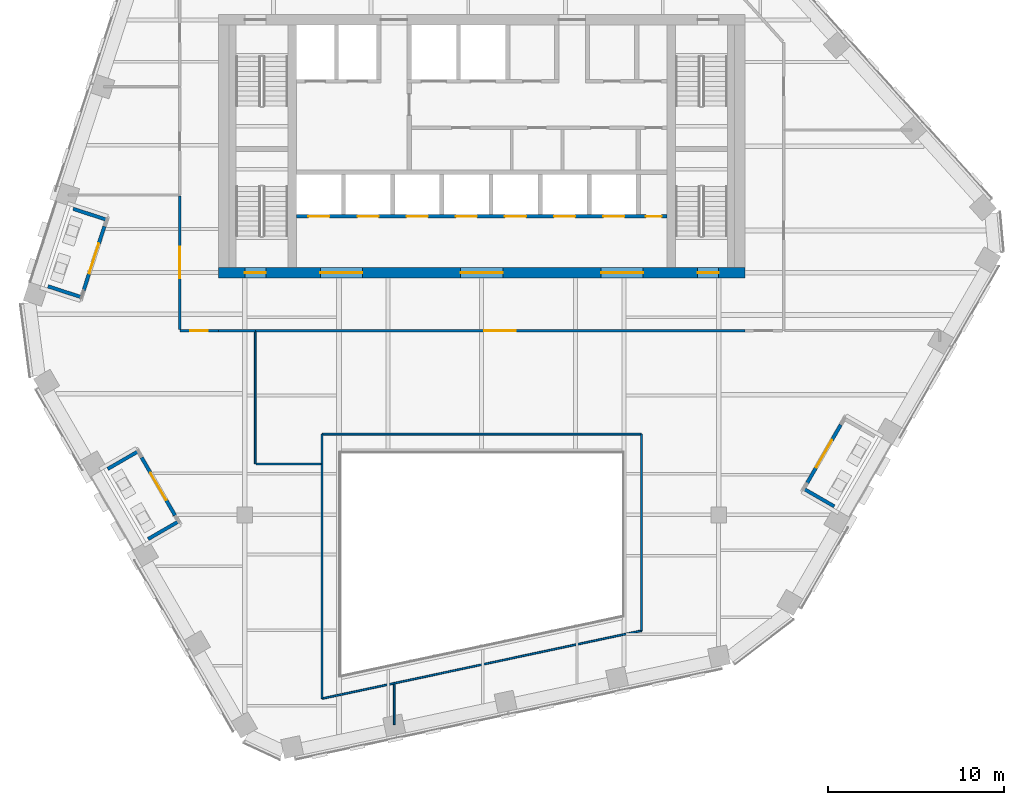
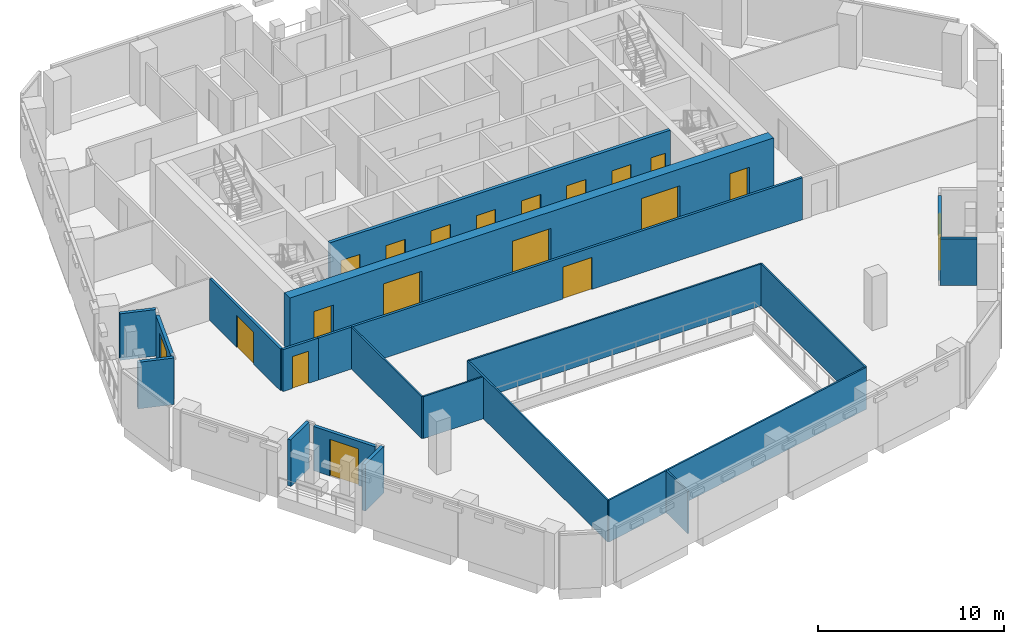
# One storey, part 15 of 24: 21 walls, 19 doors, 19 openings.
"""IFC4 building model written with IfcOpenShell, lengths in metres."""

from ifc_helpers import new_model, si_unit, direction, frame, frame_2d, origin, place, context, subcontext, project, spatial, rectangle, extrude, material, layer, layer_set, type_object, element, fill, save


model = new_model("IFC4")

# Units and contexts
model_context = context("Model", 3, precision=1e-05, world=origin(), true_north=direction((0.0, 1.0)))
body_context = subcontext(model_context, "Body", "Model", "MODEL_VIEW")
ifc_project = project(units=[si_unit("LENGTHUNIT", "METRE"), si_unit("AREAUNIT", "SQUARE_METRE"), si_unit("VOLUMEUNIT", "CUBIC_METRE"), si_unit("PLANEANGLEUNIT", "RADIAN"), si_unit("MASSUNIT", "GRAM", prefix="KILO")], contexts=[model_context])

# Site, building, storey
site_placement = place(None, origin())
site = spatial("IfcSite", under=ifc_project, at=site_placement, CompositionType="ELEMENT")
building_placement = place(site_placement, origin())
building = spatial("IfcBuilding", under=site, at=building_placement, Name="Isthmus Gate Tower", CompositionType="ELEMENT")
storey_placement = place(building_placement, frame((0.0, 0.0, 234.550048828125)))
storey = spatial("IfcBuildingStorey", under=building, at=storey_placement, Name="L59", CompositionType="ELEMENT", Elevation=234.550048828125)

# Walls
ifc_material_1 = material(Name="Fire-rated laminated glass in steel frame", Category="steel")
ifc_layer_1 = layer(ifc_material_1, 0.10009765625)
ifc_layer_set_1 = layer_set([ifc_layer_1], Name="ATRIUM SCREEN GLAZED WALL 100 120 MIN")
wall_type_1 = type_object("IfcWallType", Name="ATRIUM SCREEN GLAZED WALL 100 120 MIN", PredefinedType="PARTITIONING", material=ifc_layer_set_1)
wall_1_placement = place(storey_placement, frame((-9.10009765625, -8.89990234375, 0.0), z_axis=(0.0, 0.0, 1.0), x_axis=(1.0, 0.0, 0.0)))
element("IfcWall", 1, at=wall_1_placement, inside=storey, type_object=wall_type_1, Name="L59 atrium screen", PredefinedType="PARTITIONING", context=body_context, shape_type="SweptSolid", body=[
    extrude(rectangle(XDim=18.2001953125, YDim=0.10009765625, at=frame_2d((9.10009765625, 0.0))), origin(), (0.0, 0.0, 1.0), 2.750732421875),
])
wall_2_placement = place(storey_placement, frame((9.10009765625, -8.89990234375, 0.0), z_axis=(0.0, 0.0, 1.0), x_axis=(0.0, -1.0, 0.0)))
element("IfcWall", 2, at=wall_2_placement, inside=storey, type_object=wall_type_1, Name="L59 atrium screen", PredefinedType="PARTITIONING", context=body_context, shape_type="SweptSolid", body=[
    extrude(rectangle(XDim=11.200927734375, YDim=0.10009765625, at=frame_2d((5.6005859375, 0.0))), origin(), (0.0, 0.0, 1.0), 2.750732421875),
])
wall_3_placement = place(storey_placement, frame((9.10009765625, -20.100830078125, 0.0), z_axis=(0.0, 0.0, 1.0), x_axis=(-0.978146710971, -0.207915876778, 0.0)))
element("IfcWall", 3, at=wall_3_placement, inside=storey, type_object=wall_type_1, Name="L59 atrium screen", PredefinedType="PARTITIONING", context=body_context, shape_type="SweptSolid", body=[
    extrude(rectangle(XDim=18.60693359375, YDim=0.10009765625, at=frame_2d((9.303466796875, 0.0))), origin(), (0.0, 0.0, 1.0), 2.750732421875),
])
wall_4_placement = place(storey_placement, frame((-9.10009765625, -23.969482421875, 0.0), z_axis=(0.0, 0.0, 1.0), x_axis=(0.0, 1.0, 0.0)))
element("IfcWall", 4, at=wall_4_placement, inside=storey, type_object=wall_type_1, Name="L59 atrium screen", PredefinedType="PARTITIONING", context=body_context, shape_type="SweptSolid", body=[
    extrude(rectangle(XDim=15.069580078125, YDim=0.10009765625, at=frame_2d((7.53466796875, 0.0))), origin(), (0.0, 0.0, 1.0), 2.750732421875),
])
ifc_material_2 = material(Name="Gypsum board on steel studs, fire-rated", Category="steel")
ifc_layer_2 = layer(ifc_material_2, 0.14990234375)
ifc_layer_set_2 = layer_set([ifc_layer_2], Name="CORRIDOR WALL 150 60 MIN")
wall_type_2 = type_object("IfcWallType", Name="CORRIDOR WALL 150 60 MIN", PredefinedType="PARTITIONING", material=ifc_layer_set_2)
wall_5_placement = place(storey_placement, frame((-12.904052734375, -3.0, 0.0), z_axis=(0.0, 0.0, 1.0), x_axis=(-1.0, 0.0, 0.0)))
element("IfcWall", 5, at=wall_5_placement, inside=storey, type_object=wall_type_2, Name="L59 Corridor Wall 150 60 Min", PredefinedType="PARTITIONING", context=body_context, shape_type="SweptSolid", body=[
    extrude(rectangle(XDim=2.095947265625, YDim=0.14990234375, at=frame_2d((1.0478515625, 0.0))), origin(), (0.0, 0.0, 1.0), 2.750732421875),
])

# Wall, opening, door
wall_6_placement = place(storey_placement, frame((15.0, -3.0, 0.0), z_axis=(0.0, 0.0, 1.0), x_axis=(-1.0, 0.0, 0.0)))
wall_6 = element("IfcWall", 6, at=wall_6_placement, inside=storey, type_object=wall_type_2, Name="L59 Corridor Wall 150 60 Min", PredefinedType="PARTITIONING", context=body_context, shape_type="SweptSolid", body=[
    extrude(rectangle(XDim=27.904052734375, YDim=0.14990234375, at=frame_2d((13.9521484375, 0.0))), origin(), (0.0, 0.0, 1.0), 2.750732421875),
])
opening_1_placement = place(wall_6_placement, frame((13.052001953125, 0.0, 0.0)))
opening_1 = element("IfcOpeningElement", 7, at=opening_1_placement, cuts=wall_6, Name="Opening DT-T5B-11", PredefinedType="OPENING", context=body_context, shape_type="SweptSolid", body=[
    extrude(rectangle(XDim=1.800048828125, YDim=2.10009765625, at=frame_2d((0.89990234375, 1.050048828125))), frame((0.0, 0.0849609375, 0.0), z_axis=(0.0, -1.0, 0.0), x_axis=(1.0, 0.0, 0.0)), (0.0, 0.0, 1.0), 0.169921875),
])
ifc_material_3 = material(Name="Solid core timber door leaf, fire-rated", Category="wood")
door_type_1 = type_object("IfcDoorType", Name="FIRE DOOR ROOM 1800 X 2100 60 MIN", OperationType="DOUBLE_DOOR_DOUBLE_SWING", PredefinedType="DOOR", material=ifc_material_3)
door_1_placement = place(opening_1_placement, origin())
door_1 = element("IfcDoor", 8, at=door_1_placement, inside=storey, type_object=door_type_1, Name="L59 room door", OperationType="DOUBLE_DOOR_DOUBLE_SWING", OverallHeight=2.10009765625, OverallWidth=1.800048828125, PredefinedType="DOOR", context=body_context, shape_type="SweptSolid", body=[
    extrude(rectangle(XDim=1.800048828125, YDim=2.10009765625, at=frame_2d((0.89990234375, 1.050048828125))), frame((0.0, 0.02490234375, 0.0), z_axis=(0.0, -1.0, 0.0), x_axis=(1.0, 0.0, 0.0)), (0.0, 0.0, 1.0), 0.050048828125),
])
fill(opening_1, door_1)

wall_7_placement = place(storey_placement, frame((-15.0, -3.0, 0.0), z_axis=(0.0, 0.0, 1.0), x_axis=(-1.0, 0.0, 0.0)))
wall_7 = element("IfcWall", 9, at=wall_7_placement, inside=storey, type_object=wall_type_2, Name="L59 Corridor Wall 150 60 Min", PredefinedType="PARTITIONING", context=body_context, shape_type="SweptSolid", body=[
    extrude(rectangle(XDim=2.199951171875, YDim=0.14990234375, at=frame_2d((1.10009765625, 0.0))), origin(), (0.0, 0.0, 1.0), 2.750732421875),
])
opening_2_placement = place(wall_7_placement, frame((0.60009765625, 0.0, 0.0)))
opening_2 = element("IfcOpeningElement", 10, at=opening_2_placement, cuts=wall_7, Name="Opening DT-T5B-10", PredefinedType="OPENING", context=body_context, shape_type="SweptSolid", body=[
    extrude(rectangle(XDim=1.0, YDim=2.10009765625, at=frame_2d((0.5, 1.050048828125))), frame((0.0, 0.0849609375, 0.0), z_axis=(0.0, -1.0, 0.0), x_axis=(1.0, 0.0, 0.0)), (0.0, 0.0, 1.0), 0.169921875),
])
ifc_material_4 = material(Name="Solid core timber door leaf, fire-rated", Category="wood")
door_type_2 = type_object("IfcDoorType", Name="FIRE DOOR ROOM 1000 X 2100 60 MIN", OperationType="SINGLE_SWING_LEFT", PredefinedType="DOOR", material=ifc_material_4)
door_2_placement = place(opening_2_placement, origin())
door_2 = element("IfcDoor", 11, at=door_2_placement, inside=storey, type_object=door_type_2, Name="L59 room door", OperationType="SINGLE_SWING_RIGHT", OverallHeight=2.10009765625, OverallWidth=1.0, PredefinedType="DOOR", context=body_context, shape_type="SweptSolid", body=[
    extrude(rectangle(XDim=1.0, YDim=2.10009765625, at=frame_2d((0.5, 1.050048828125))), frame((0.0, 0.02490234375, 0.0), z_axis=(0.0, -1.0, 0.0), x_axis=(1.0, 0.0, 0.0)), (0.0, 0.0, 1.0), 0.050048828125),
])
fill(opening_2, door_2)

wall_8_placement = place(storey_placement, frame((-17.199951171875, -2.925048828125, 0.0), z_axis=(0.0, 0.0, 1.0), x_axis=(0.0, 1.0, 0.0)))
wall_8 = element("IfcWall", 12, at=wall_8_placement, inside=storey, type_object=wall_type_2, Name="L59 Corridor Wall 150 60 Min", PredefinedType="PARTITIONING", context=body_context, shape_type="SweptSolid", body=[
    extrude(rectangle(XDim=7.59814453125, YDim=0.14990234375, at=frame_2d((3.799072265625, 0.0))), origin(), (0.0, 0.0, 1.0), 2.750732421875),
])
opening_3_placement = place(wall_8_placement, frame((2.89892578125, 0.0, 0.0)))
opening_3 = element("IfcOpeningElement", 13, at=opening_3_placement, cuts=wall_8, Name="Opening DT-T5B-09", PredefinedType="OPENING", context=body_context, shape_type="SweptSolid", body=[
    extrude(rectangle(XDim=1.800048828125, YDim=2.10009765625, at=frame_2d((0.89990234375, 1.050048828125))), frame((0.0, 0.0849609375, 0.0), z_axis=(0.0, -1.0, 0.0), x_axis=(1.0, 0.0, 0.0)), (0.0, 0.0, 1.0), 0.169921875),
])
door_3_placement = place(opening_3_placement, origin())
door_3 = element("IfcDoor", 14, at=door_3_placement, inside=storey, type_object=door_type_1, Name="L59 room door", OperationType="DOUBLE_DOOR_DOUBLE_SWING", OverallHeight=2.10009765625, OverallWidth=1.800048828125, PredefinedType="DOOR", context=body_context, shape_type="SweptSolid", body=[
    extrude(rectangle(XDim=1.800048828125, YDim=2.10009765625, at=frame_2d((0.89990234375, 1.050048828125))), frame((0.0, 0.02490234375, 0.0), z_axis=(0.0, -1.0, 0.0), x_axis=(1.0, 0.0, 0.0)), (0.0, 0.0, 1.0), 0.050048828125),
])
fill(opening_3, door_3)

ifc_material_5 = material(Name="Precast concrete C40/50", Category="concrete")
ifc_layer_3 = layer(ifc_material_5, 0.199951171875)
ifc_layer_set_3 = layer_set([ifc_layer_3], Name="LOGGIA WALL 200")
wall_type_3 = type_object("IfcWallType", Name="LOGGIA WALL 200", PredefinedType="SOLIDWALL", material=ifc_layer_set_3)
wall_9_placement = place(storey_placement, frame((-21.49853515625, 2.93603515625, 0.0), z_axis=(0.0, 0.0, 1.0), x_axis=(-0.309012793265, -0.951057881308, 0.0)))
wall_9 = element("IfcWall", 15, at=wall_9_placement, inside=storey, type_object=wall_type_3, Name="LOGGIA BACK WALL", PredefinedType="SOLIDWALL", context=body_context, shape_type="SweptSolid", body=[
    extrude(rectangle(XDim=3.842041015625, YDim=0.199951171875, at=frame_2d((1.9208984375, 0.0))), origin(), (0.0, 0.0, 1.0), 2.8935546875),
])
opening_4_placement = place(wall_9_placement, frame((1.02099609375, 0.0, 0.0)))
opening_4 = element("IfcOpeningElement", 16, at=opening_4_placement, cuts=wall_9, Name="Opening DE59-02", PredefinedType="OPENING", context=body_context, shape_type="SweptSolid", body=[
    extrude(rectangle(XDim=1.800048828125, YDim=2.39990234375, at=frame_2d((0.89990234375, 1.199951171875))), frame((0.0, 0.10986328125, 0.0), z_axis=(0.0, -1.0, 0.0), x_axis=(1.0, 0.0, 0.0)), (0.0, 0.0, 1.0), 0.219970703125),
])
ifc_material_6 = material(Name="Aluminium, pale champagne anodised, laminated glass", Category="aluminium")
door_type_3 = type_object("IfcDoorType", Name="LOGGIA DOOR SLIDING 1800 X 2400", OperationType="DOUBLE_DOOR_SLIDING", PredefinedType="DOOR", material=ifc_material_6)
door_4_placement = place(opening_4_placement, origin())
door_4 = element("IfcDoor", 17, at=door_4_placement, inside=storey, type_object=door_type_3, Name="DOOR DE59-02", OperationType="SINGLE_SWING_LEFT", OverallHeight=2.39990234375, OverallWidth=1.800048828125, PredefinedType="DOOR", context=body_context, shape_type="SweptSolid", body=[
    extrude(rectangle(XDim=1.800048828125, YDim=2.39990234375, at=frame_2d((0.89990234375, 1.199951171875))), frame((0.0, 0.02490234375, 0.0), z_axis=(0.0, -1.0, 0.0), x_axis=(1.0, 0.0, 0.0)), (0.0, 0.0, 1.0), 0.050048828125),
])
fill(opening_4, door_4)

# Walls
wall_10_placement = place(storey_placement, frame((-23.277099609375, 3.934326171875, 0.0), z_axis=(0.0, 0.0, 1.0), x_axis=(0.951055771678, -0.309019286062, 0.0)))
element("IfcWall", 18, at=wall_10_placement, inside=storey, type_object=wall_type_3, Name="LOGGIA SIDE WALL", PredefinedType="SOLIDWALL", context=body_context, shape_type="SweptSolid", body=[
    extrude(rectangle(XDim=1.98388671875, YDim=0.199951171875, at=frame_2d((0.991943359375, 0.0))), origin(), (0.0, 0.0, 1.0), 3.050048828125),
])
wall_11_placement = place(storey_placement, frame((-24.711669921875, -0.480224609375, 0.0), z_axis=(0.0, 0.0, 1.0), x_axis=(0.951031355953, -0.30909441922, 0.0)))
element("IfcWall", 19, at=wall_11_placement, inside=storey, type_object=wall_type_3, Name="LOGGIA SIDE WALL", PredefinedType="SOLIDWALL", context=body_context, shape_type="SweptSolid", body=[
    extrude(rectangle(XDim=1.984130859375, YDim=0.199951171875, at=frame_2d((0.9921875, 0.0))), origin(), (0.0, 0.0, 1.0), 3.050048828125),
])

# Wall, opening, door
wall_12_placement = place(storey_placement, frame((-19.381103515625, -10.230712890625, 0.0), z_axis=(0.0, 0.0, 1.0), x_axis=(0.499997905474, -0.866026613056, 0.0)))
wall_12 = element("IfcWall", 20, at=wall_12_placement, inside=storey, type_object=wall_type_3, Name="LOGGIA BACK WALL", PredefinedType="SOLIDWALL", context=body_context, shape_type="SweptSolid", body=[
    extrude(rectangle(XDim=3.810546875, YDim=0.199951171875, at=frame_2d((1.9052734375, 0.0))), origin(), (0.0, 0.0, 1.0), 2.896728515625),
])
opening_5_placement = place(wall_12_placement, frame((1.00537109375, 0.0, 0.0)))
opening_5 = element("IfcOpeningElement", 21, at=opening_5_placement, cuts=wall_12, Name="Opening DE59-03", PredefinedType="OPENING", context=body_context, shape_type="SweptSolid", body=[
    extrude(rectangle(XDim=1.800048828125, YDim=2.39990234375, at=frame_2d((0.89990234375, 1.199951171875))), frame((0.0, 0.10986328125, 0.0), z_axis=(0.0, -1.0, 0.0), x_axis=(1.0, 0.0, 0.0)), (0.0, 0.0, 1.0), 0.219970703125),
])
door_5_placement = place(opening_5_placement, origin())
door_5 = element("IfcDoor", 22, at=door_5_placement, inside=storey, type_object=door_type_3, Name="DOOR DE59-03", OperationType="SINGLE_SWING_LEFT", OverallHeight=2.39990234375, OverallWidth=1.800048828125, PredefinedType="DOOR", context=body_context, shape_type="SweptSolid", body=[
    extrude(rectangle(XDim=1.800048828125, YDim=2.39990234375, at=frame_2d((0.89990234375, 1.199951171875))), frame((0.0, 0.02490234375, 0.0), z_axis=(0.0, -1.0, 0.0), x_axis=(1.0, 0.0, 0.0)), (0.0, 0.0, 1.0), 0.050048828125),
])
fill(opening_5, door_5)

# Walls
for number, where, z_axis, x_axis, name in (
    (23, (-21.313232421875, -10.88427734375, 0.0), (0.0, 0.0, 1.0), (0.866046247233, 0.49996389635, 0.0), "LOGGIA SIDE WALL"),
    (24, (-19.008056640625, -14.877197265625, 0.0), (0.0, 0.0, 1.0), (0.866046247233, 0.49996389635, 0.0), "LOGGIA SIDE WALL"),
):
    element("IfcWall", number, at=place(storey_placement, frame(where, z_axis=z_axis, x_axis=x_axis)), inside=storey, type_object=wall_type_3, Name=name, PredefinedType="SOLIDWALL", context=body_context, shape_type="SweptSolid", body=[
        extrude(rectangle(XDim=1.984130859375, YDim=0.199951171875, at=frame_2d((0.9921875, 0.0))), origin(), (0.0, 0.0, 1.0), 3.050048828125),
    ])

# Wall, opening, door
wall_13_placement = place(storey_placement, frame((18.55078125, -11.669189453125, 0.0), z_axis=(0.0, 0.0, 1.0), x_axis=(0.499997905474, 0.866026613056, 0.0)))
wall_13 = element("IfcWall", 25, at=wall_13_placement, inside=storey, type_object=wall_type_3, Name="LOGGIA BACK WALL", PredefinedType="SOLIDWALL", context=body_context, shape_type="SweptSolid", body=[
    extrude(rectangle(XDim=3.810546875, YDim=0.199951171875, at=frame_2d((1.9052734375, 0.0))), origin(), (0.0, 0.0, 1.0), 2.89990234375),
])
opening_6_placement = place(wall_13_placement, frame((1.00537109375, 0.0, 0.0)))
opening_6 = element("IfcOpeningElement", 26, at=opening_6_placement, cuts=wall_13, Name="Opening DE59-04", PredefinedType="OPENING", context=body_context, shape_type="SweptSolid", body=[
    extrude(rectangle(XDim=1.800048828125, YDim=2.39990234375, at=frame_2d((0.89990234375, 1.199951171875))), frame((0.0, 0.10986328125, 0.0), z_axis=(0.0, -1.0, 0.0), x_axis=(1.0, 0.0, 0.0)), (0.0, 0.0, 1.0), 0.219970703125),
])
door_6_placement = place(opening_6_placement, origin())
door_6 = element("IfcDoor", 27, at=door_6_placement, inside=storey, type_object=door_type_3, Name="DOOR DE59-04", OperationType="SINGLE_SWING_LEFT", OverallHeight=2.39990234375, OverallWidth=1.800048828125, PredefinedType="DOOR", context=body_context, shape_type="SweptSolid", body=[
    extrude(rectangle(XDim=1.800048828125, YDim=2.39990234375, at=frame_2d((0.89990234375, 1.199951171875))), frame((0.0, 0.02490234375, 0.0), z_axis=(0.0, -1.0, 0.0), x_axis=(1.0, 0.0, 0.0)), (0.0, 0.0, 1.0), 0.050048828125),
])
fill(opening_6, door_6)

# Wall
wall_14_placement = place(storey_placement, frame((20.082763671875, -13.015625, 0.0), z_axis=(0.0, 0.0, 1.0), x_axis=(-0.866046247233, 0.49996389635, 0.0)))
element("IfcWall", 28, at=wall_14_placement, inside=storey, type_object=wall_type_3, Name="LOGGIA SIDE WALL", PredefinedType="SOLIDWALL", context=body_context, shape_type="SweptSolid", body=[
    extrude(rectangle(XDim=1.984130859375, YDim=0.199951171875, at=frame_2d((0.9921875, 0.0))), origin(), (0.0, 0.0, 1.0), 3.050048828125),
])

# Wall, openings, doors
ifc_material_7 = material(Name="Concrete f'c 50 MPa", Category="concrete")
ifc_layer_4 = layer(ifc_material_7, 0.60009765625)
ifc_layer_set_4 = layer_set([ifc_layer_4], Name="RC CORE WALL 600 F'C 50")
wall_type_4 = type_object("IfcWallType", Name="RC CORE WALL 600 F'C 50", PredefinedType="SOLIDWALL", material=ifc_layer_set_4)
wall_15_placement = place(storey_placement, frame((-15.0, 0.300048828125, -0.150146484375), z_axis=(0.0, 0.0, 1.0), x_axis=(1.0, 0.0, 0.0)))
wall_15 = element("IfcWall", 29, at=wall_15_placement, inside=storey, type_object=wall_type_4, Name="str-corewall-L59-S", PredefinedType="SOLIDWALL", context=body_context, shape_type="SweptSolid", body=[
    extrude(rectangle(XDim=30.0, YDim=0.60009765625, at=frame_2d((15.0, 0.0))), origin(), (0.0, 0.0, 1.0), 3.650146484375),
])
opening_7_placement = place(wall_15_placement, frame((5.800048828125, 0.0, 0.14990234375)))
opening_7 = element("IfcOpeningElement", 30, at=opening_7_placement, cuts=wall_15, Name="Opening DC-A17-10", PredefinedType="OPENING", context=body_context, shape_type="SweptSolid", body=[
    extrude(rectangle(XDim=2.39990234375, YDim=2.39990234375, at=frame_2d((1.199951171875, 1.199951171875))), frame((0.0, 0.31005859375, 0.0), z_axis=(0.0, -1.0, 0.0), x_axis=(1.0, 0.0, 0.0)), (0.0, 0.0, 1.0), 0.6201171875),
])
opening_8_placement = place(wall_15_placement, frame((13.800048828125, 0.0, 0.14990234375)))
opening_8 = element("IfcOpeningElement", 31, at=opening_8_placement, cuts=wall_15, Name="Opening DC-A17-11", PredefinedType="OPENING", context=body_context, shape_type="SweptSolid", body=[
    extrude(rectangle(XDim=2.39990234375, YDim=2.39990234375, at=frame_2d((1.199951171875, 1.199951171875))), frame((0.0, 0.31005859375, 0.0), z_axis=(0.0, -1.0, 0.0), x_axis=(1.0, 0.0, 0.0)), (0.0, 0.0, 1.0), 0.6201171875),
])
opening_9_placement = place(wall_15_placement, frame((21.800048828125, 0.0, 0.14990234375)))
opening_9 = element("IfcOpeningElement", 32, at=opening_9_placement, cuts=wall_15, Name="Opening DC-A17-12", PredefinedType="OPENING", context=body_context, shape_type="SweptSolid", body=[
    extrude(rectangle(XDim=2.39990234375, YDim=2.39990234375, at=frame_2d((1.199951171875, 1.199951171875))), frame((0.0, 0.31005859375, 0.0), z_axis=(0.0, -1.0, 0.0), x_axis=(1.0, 0.0, 0.0)), (0.0, 0.0, 1.0), 0.6201171875),
])
opening_10_placement = place(wall_15_placement, frame((1.5, 0.0, 0.14990234375)))
opening_10 = element("IfcOpeningElement", 33, at=opening_10_placement, cuts=wall_15, Name="Opening DC-A17-17", PredefinedType="OPENING", context=body_context, shape_type="SweptSolid", body=[
    extrude(rectangle(XDim=1.199951171875, YDim=2.10009765625, at=frame_2d((0.60009765625, 1.050048828125))), frame((0.0, 0.31005859375, 0.0), z_axis=(0.0, -1.0, 0.0), x_axis=(1.0, 0.0, 0.0)), (0.0, 0.0, 1.0), 0.6201171875),
])
opening_11_placement = place(wall_15_placement, frame((27.300048828125, 0.0, 0.14990234375)))
opening_11 = element("IfcOpeningElement", 34, at=opening_11_placement, cuts=wall_15, Name="Opening DC-A17-18", PredefinedType="OPENING", context=body_context, shape_type="SweptSolid", body=[
    extrude(rectangle(XDim=1.199951171875, YDim=2.10009765625, at=frame_2d((0.60009765625, 1.050048828125))), frame((0.0, 0.31005859375, 0.0), z_axis=(0.0, -1.0, 0.0), x_axis=(1.0, 0.0, 0.0)), (0.0, 0.0, 1.0), 0.6201171875),
])
ifc_material_8 = material(Name="Laminated safety glass in steel frame, fire-rated", Category="steel")
door_type_4 = type_object("IfcDoorType", Name="LOBBY ENTRANCE FIRE DOOR 2400 X 2400 60 MIN", OperationType="DOUBLE_DOOR_DOUBLE_SWING", PredefinedType="DOOR", material=ifc_material_8)
door_7_placement = place(opening_7_placement, origin())
door_7 = element("IfcDoor", 35, at=door_7_placement, inside=storey, type_object=door_type_4, Name="Lobby Entrance PS-W", OperationType="DOUBLE_DOOR_DOUBLE_SWING", OverallHeight=2.39990234375, OverallWidth=2.39990234375, PredefinedType="DOOR", context=body_context, shape_type="SweptSolid", body=[
    extrude(rectangle(XDim=2.39990234375, YDim=2.39990234375, at=frame_2d((1.199951171875, 1.199951171875))), frame((0.0, 0.02490234375, 0.0), z_axis=(0.0, -1.0, 0.0), x_axis=(1.0, 0.0, 0.0)), (0.0, 0.0, 1.0), 0.050048828125),
])
fill(opening_7, door_7)
door_8_placement = place(opening_8_placement, origin())
door_8 = element("IfcDoor", 36, at=door_8_placement, inside=storey, type_object=door_type_4, Name="Lobby Entrance PS-C", OperationType="DOUBLE_DOOR_DOUBLE_SWING", OverallHeight=2.39990234375, OverallWidth=2.39990234375, PredefinedType="DOOR", context=body_context, shape_type="SweptSolid", body=[
    extrude(rectangle(XDim=2.39990234375, YDim=2.39990234375, at=frame_2d((1.199951171875, 1.199951171875))), frame((0.0, 0.02490234375, 0.0), z_axis=(0.0, -1.0, 0.0), x_axis=(1.0, 0.0, 0.0)), (0.0, 0.0, 1.0), 0.050048828125),
])
fill(opening_8, door_8)
door_9_placement = place(opening_9_placement, origin())
door_9 = element("IfcDoor", 37, at=door_9_placement, inside=storey, type_object=door_type_4, Name="Lobby Entrance PS-E", OperationType="DOUBLE_DOOR_DOUBLE_SWING", OverallHeight=2.39990234375, OverallWidth=2.39990234375, PredefinedType="DOOR", context=body_context, shape_type="SweptSolid", body=[
    extrude(rectangle(XDim=2.39990234375, YDim=2.39990234375, at=frame_2d((1.199951171875, 1.199951171875))), frame((0.0, 0.02490234375, 0.0), z_axis=(0.0, -1.0, 0.0), x_axis=(1.0, 0.0, 0.0)), (0.0, 0.0, 1.0), 0.050048828125),
])
fill(opening_9, door_9)
ifc_material_9 = material(Name="Steel door leaf, fire-rated", Category="steel")
door_type_5 = type_object("IfcDoorType", Name="STAIR FIRE DOOR 1200 X 2100 90 MIN", OperationType="SINGLE_SWING_LEFT", PredefinedType="DOOR", material=ifc_material_9)
door_10_placement = place(opening_10_placement, origin())
door_10 = element("IfcDoor", 38, at=door_10_placement, inside=storey, type_object=door_type_5, Name="Exit Stair 7 Door", OperationType="SINGLE_SWING_LEFT", OverallHeight=2.10009765625, OverallWidth=1.199951171875, PredefinedType="DOOR", context=body_context, shape_type="SweptSolid", body=[
    extrude(rectangle(XDim=1.199951171875, YDim=2.10009765625, at=frame_2d((0.60009765625, 1.050048828125))), frame((0.0, 0.02490234375, 0.0), z_axis=(0.0, -1.0, 0.0), x_axis=(1.0, 0.0, 0.0)), (0.0, 0.0, 1.0), 0.050048828125),
])
fill(opening_10, door_10)
door_11_placement = place(opening_11_placement, origin())
door_11 = element("IfcDoor", 39, at=door_11_placement, inside=storey, type_object=door_type_5, Name="Exit Stair 8 Door", OperationType="SINGLE_SWING_RIGHT", OverallHeight=2.10009765625, OverallWidth=1.199951171875, PredefinedType="DOOR", context=body_context, shape_type="SweptSolid", body=[
    extrude(rectangle(XDim=1.199951171875, YDim=2.10009765625, at=frame_2d((0.60009765625, 1.050048828125))), frame((0.0, 0.02490234375, 0.0), z_axis=(0.0, -1.0, 0.0), x_axis=(1.0, 0.0, 0.0)), (0.0, 0.0, 1.0), 0.050048828125),
])
fill(opening_11, door_11)

# Walls
ifc_material_10 = material(Name="Gypsum board on steel studs, fire-rated", Category="steel")
ifc_layer_5 = layer(ifc_material_10, 0.10009765625)
ifc_layer_set_5 = layer_set([ifc_layer_5], Name="ROOM PARTITION 100 30 MIN")
wall_type_5 = type_object("IfcWallType", Name="ROOM PARTITION 100 30 MIN", PredefinedType="PARTITIONING", material=ifc_layer_set_5)
wall_16_placement = place(storey_placement, frame((-12.904052734375, -10.595947265625, 0.0), z_axis=(0.0, 0.0, 1.0), x_axis=(0.0, 1.0, 0.0)))
element("IfcWall", 40, at=wall_16_placement, inside=storey, type_object=wall_type_5, Name="L59 Room Partition 100 30 Min", PredefinedType="PARTITIONING", context=body_context, shape_type="SweptSolid", body=[
    extrude(rectangle(XDim=7.52099609375, YDim=0.10009765625, at=frame_2d((3.760498046875, 0.0))), origin(), (0.0, 0.0, 1.0), 2.750732421875),
])
wall_17_placement = place(storey_placement, frame((-4.989990234375, -25.447021484375, 0.0), z_axis=(0.0, 0.0, 1.0), x_axis=(0.0, 1.0, 0.0)))
element("IfcWall", 41, at=wall_17_placement, inside=storey, type_object=wall_type_5, Name="L59 Room Partition 100 30 Min", PredefinedType="PARTITIONING", context=body_context, shape_type="SweptSolid", body=[
    extrude(rectangle(XDim=2.300048828125, YDim=0.10009765625, at=frame_2d((1.14990234375, 0.0))), origin(), (0.0, 0.0, 1.0), 2.750732421875),
])
wall_18_placement = place(storey_placement, frame((-12.85400390625, -10.595947265625, 0.0), z_axis=(0.0, 0.0, 1.0), x_axis=(1.0, 0.0, 0.0)))
element("IfcWall", 42, at=wall_18_placement, inside=storey, type_object=wall_type_5, Name="L59 Room Partition 100 30 Min", PredefinedType="PARTITIONING", context=body_context, shape_type="SweptSolid", body=[
    extrude(rectangle(XDim=3.7041015625, YDim=0.10009765625, at=frame_2d((1.85205078125, 0.0))), origin(), (0.0, 0.0, 1.0), 2.750732421875),
])

# Wall, openings, doors
ifc_material_11 = material(Name="Fire-rated blockwork masonry, 15 MPa", Category="masonry")
ifc_layer_6 = layer(ifc_material_11, 0.199951171875)
ifc_layer_set_6 = layer_set([ifc_layer_6], Name="SHAFT FRONT WALL 200 120 MIN")
wall_type_6 = type_object("IfcWallType", Name="SHAFT FRONT WALL 200 120 MIN", PredefinedType="PARTITIONING", material=ifc_layer_set_6)
wall_19_placement = place(storey_placement, frame((-10.550048828125, 3.5, 0.0), z_axis=(0.0, 0.0, 1.0), x_axis=(1.0, 0.0, 0.0)))
wall_19 = element("IfcWall", 43, at=wall_19_placement, inside=storey, type_object=wall_type_6, Name="L59 SHAFT FRONT WALL 200 120 MIN", PredefinedType="PARTITIONING", context=body_context, shape_type="SweptSolid", body=[
    extrude(rectangle(XDim=21.10009765625, YDim=0.199951171875, at=frame_2d((10.550048828125, 0.0))), origin(), (0.0, 0.0, 1.0), 3.5),
])
opening_12_placement = place(wall_19_placement, frame((0.675048828125, 0.0, 0.0)))
opening_12 = element("IfcOpeningElement", 44, at=opening_12_placement, cuts=wall_19, Name="Opening LD-LC1", PredefinedType="OPENING", context=body_context, shape_type="SweptSolid", body=[
    extrude(rectangle(XDim=1.199951171875, YDim=2.10009765625, at=frame_2d((0.60009765625, 1.050048828125))), frame((0.0, 0.10986328125, 0.0), z_axis=(0.0, -1.0, 0.0), x_axis=(1.0, 0.0, 0.0)), (0.0, 0.0, 1.0), 0.219970703125),
])
opening_13_placement = place(wall_19_placement, frame((3.47509765625, 0.0, 0.0)))
opening_13 = element("IfcOpeningElement", 45, at=opening_13_placement, cuts=wall_19, Name="Opening LD-LC2", PredefinedType="OPENING", context=body_context, shape_type="SweptSolid", body=[
    extrude(rectangle(XDim=1.199951171875, YDim=2.10009765625, at=frame_2d((0.60009765625, 1.050048828125))), frame((0.0, 0.10986328125, 0.0), z_axis=(0.0, -1.0, 0.0), x_axis=(1.0, 0.0, 0.0)), (0.0, 0.0, 1.0), 0.219970703125),
])
opening_14_placement = place(wall_19_placement, frame((6.27490234375, 0.0, 0.0)))
opening_14 = element("IfcOpeningElement", 46, at=opening_14_placement, cuts=wall_19, Name="Opening LD-LC3", PredefinedType="OPENING", context=body_context, shape_type="SweptSolid", body=[
    extrude(rectangle(XDim=1.199951171875, YDim=2.10009765625, at=frame_2d((0.60009765625, 1.050048828125))), frame((0.0, 0.10986328125, 0.0), z_axis=(0.0, -1.0, 0.0), x_axis=(1.0, 0.0, 0.0)), (0.0, 0.0, 1.0), 0.219970703125),
])
opening_15_placement = place(wall_19_placement, frame((9.074951171875, 0.0, 0.0)))
opening_15 = element("IfcOpeningElement", 47, at=opening_15_placement, cuts=wall_19, Name="Opening LD-LC4", PredefinedType="OPENING", context=body_context, shape_type="SweptSolid", body=[
    extrude(rectangle(XDim=1.199951171875, YDim=2.10009765625, at=frame_2d((0.60009765625, 1.050048828125))), frame((0.0, 0.10986328125, 0.0), z_axis=(0.0, -1.0, 0.0), x_axis=(1.0, 0.0, 0.0)), (0.0, 0.0, 1.0), 0.219970703125),
])
opening_16_placement = place(wall_19_placement, frame((11.875, 0.0, 0.0)))
opening_16 = element("IfcOpeningElement", 48, at=opening_16_placement, cuts=wall_19, Name="Opening LD-LC5", PredefinedType="OPENING", context=body_context, shape_type="SweptSolid", body=[
    extrude(rectangle(XDim=1.199951171875, YDim=2.10009765625, at=frame_2d((0.60009765625, 1.050048828125))), frame((0.0, 0.10986328125, 0.0), z_axis=(0.0, -1.0, 0.0), x_axis=(1.0, 0.0, 0.0)), (0.0, 0.0, 1.0), 0.219970703125),
])
opening_17_placement = place(wall_19_placement, frame((14.675048828125, 0.0, 0.0)))
opening_17 = element("IfcOpeningElement", 49, at=opening_17_placement, cuts=wall_19, Name="Opening LD-LC6", PredefinedType="OPENING", context=body_context, shape_type="SweptSolid", body=[
    extrude(rectangle(XDim=1.199951171875, YDim=2.10009765625, at=frame_2d((0.60009765625, 1.050048828125))), frame((0.0, 0.10986328125, 0.0), z_axis=(0.0, -1.0, 0.0), x_axis=(1.0, 0.0, 0.0)), (0.0, 0.0, 1.0), 0.219970703125),
])
opening_18_placement = place(wall_19_placement, frame((17.47509765625, 0.0, 0.0)))
opening_18 = element("IfcOpeningElement", 50, at=opening_18_placement, cuts=wall_19, Name="Opening LD-LC7", PredefinedType="OPENING", context=body_context, shape_type="SweptSolid", body=[
    extrude(rectangle(XDim=1.199951171875, YDim=2.10009765625, at=frame_2d((0.60009765625, 1.050048828125))), frame((0.0, 0.10986328125, 0.0), z_axis=(0.0, -1.0, 0.0), x_axis=(1.0, 0.0, 0.0)), (0.0, 0.0, 1.0), 0.219970703125),
])
opening_19_placement = place(wall_19_placement, frame((19.89990234375, 0.0, 0.0)))
opening_19 = element("IfcOpeningElement", 51, at=opening_19_placement, cuts=wall_19, Name="Opening DC-A17-02", PredefinedType="OPENING", context=body_context, shape_type="SweptSolid", body=[
    extrude(rectangle(XDim=0.89990234375, YDim=2.10009765625, at=frame_2d((0.449951171875, 1.050048828125))), frame((0.0, 0.10986328125, 0.0), z_axis=(0.0, -1.0, 0.0), x_axis=(1.0, 0.0, 0.0)), (0.0, 0.0, 1.0), 0.219970703125),
])
ifc_material_12 = material(Name="Stainless steel sliding leaf", Category="steel")
door_type_6 = type_object("IfcDoorType", Name="LIFT LANDING FIRE DOOR 1200 X 2100 90 MIN", OperationType="DOUBLE_DOOR_SLIDING", PredefinedType="DOOR", material=ifc_material_12)
door_12_placement = place(opening_12_placement, origin())
door_12 = element("IfcDoor", 52, at=door_12_placement, inside=storey, type_object=door_type_6, Name="Lift Landing Door LC1", OperationType="DOUBLE_DOOR_SLIDING", OverallHeight=2.10009765625, OverallWidth=1.199951171875, PredefinedType="DOOR", context=body_context, shape_type="SweptSolid", body=[
    extrude(rectangle(XDim=1.199951171875, YDim=2.10009765625, at=frame_2d((0.60009765625, 1.050048828125))), frame((0.0, 0.02490234375, 0.0), z_axis=(0.0, -1.0, 0.0), x_axis=(1.0, 0.0, 0.0)), (0.0, 0.0, 1.0), 0.050048828125),
])
fill(opening_12, door_12)
door_13_placement = place(opening_13_placement, origin())
door_13 = element("IfcDoor", 53, at=door_13_placement, inside=storey, type_object=door_type_6, Name="Lift Landing Door LC2", OperationType="DOUBLE_DOOR_SLIDING", OverallHeight=2.10009765625, OverallWidth=1.199951171875, PredefinedType="DOOR", context=body_context, shape_type="SweptSolid", body=[
    extrude(rectangle(XDim=1.199951171875, YDim=2.10009765625, at=frame_2d((0.60009765625, 1.050048828125))), frame((0.0, 0.02490234375, 0.0), z_axis=(0.0, -1.0, 0.0), x_axis=(1.0, 0.0, 0.0)), (0.0, 0.0, 1.0), 0.050048828125),
])
fill(opening_13, door_13)
door_14_placement = place(opening_14_placement, origin())
door_14 = element("IfcDoor", 54, at=door_14_placement, inside=storey, type_object=door_type_6, Name="Lift Landing Door LC3", OperationType="DOUBLE_DOOR_SLIDING", OverallHeight=2.10009765625, OverallWidth=1.199951171875, PredefinedType="DOOR", context=body_context, shape_type="SweptSolid", body=[
    extrude(rectangle(XDim=1.199951171875, YDim=2.10009765625, at=frame_2d((0.60009765625, 1.050048828125))), frame((0.0, 0.02490234375, 0.0), z_axis=(0.0, -1.0, 0.0), x_axis=(1.0, 0.0, 0.0)), (0.0, 0.0, 1.0), 0.050048828125),
])
fill(opening_14, door_14)
door_15_placement = place(opening_15_placement, origin())
door_15 = element("IfcDoor", 55, at=door_15_placement, inside=storey, type_object=door_type_6, Name="Lift Landing Door LC4", OperationType="DOUBLE_DOOR_SLIDING", OverallHeight=2.10009765625, OverallWidth=1.199951171875, PredefinedType="DOOR", context=body_context, shape_type="SweptSolid", body=[
    extrude(rectangle(XDim=1.199951171875, YDim=2.10009765625, at=frame_2d((0.60009765625, 1.050048828125))), frame((0.0, 0.02490234375, 0.0), z_axis=(0.0, -1.0, 0.0), x_axis=(1.0, 0.0, 0.0)), (0.0, 0.0, 1.0), 0.050048828125),
])
fill(opening_15, door_15)
door_16_placement = place(opening_16_placement, origin())
door_16 = element("IfcDoor", 56, at=door_16_placement, inside=storey, type_object=door_type_6, Name="Lift Landing Door LC5", OperationType="DOUBLE_DOOR_SLIDING", OverallHeight=2.10009765625, OverallWidth=1.199951171875, PredefinedType="DOOR", context=body_context, shape_type="SweptSolid", body=[
    extrude(rectangle(XDim=1.199951171875, YDim=2.10009765625, at=frame_2d((0.60009765625, 1.050048828125))), frame((0.0, 0.02490234375, 0.0), z_axis=(0.0, -1.0, 0.0), x_axis=(1.0, 0.0, 0.0)), (0.0, 0.0, 1.0), 0.050048828125),
])
fill(opening_16, door_16)
door_17_placement = place(opening_17_placement, origin())
door_17 = element("IfcDoor", 57, at=door_17_placement, inside=storey, type_object=door_type_6, Name="Lift Landing Door LC6", OperationType="DOUBLE_DOOR_SLIDING", OverallHeight=2.10009765625, OverallWidth=1.199951171875, PredefinedType="DOOR", context=body_context, shape_type="SweptSolid", body=[
    extrude(rectangle(XDim=1.199951171875, YDim=2.10009765625, at=frame_2d((0.60009765625, 1.050048828125))), frame((0.0, 0.02490234375, 0.0), z_axis=(0.0, -1.0, 0.0), x_axis=(1.0, 0.0, 0.0)), (0.0, 0.0, 1.0), 0.050048828125),
])
fill(opening_17, door_17)
door_18_placement = place(opening_18_placement, origin())
door_18 = element("IfcDoor", 58, at=door_18_placement, inside=storey, type_object=door_type_6, Name="Lift Landing Door LC7", OperationType="DOUBLE_DOOR_SLIDING", OverallHeight=2.10009765625, OverallWidth=1.199951171875, PredefinedType="DOOR", context=body_context, shape_type="SweptSolid", body=[
    extrude(rectangle(XDim=1.199951171875, YDim=2.10009765625, at=frame_2d((0.60009765625, 1.050048828125))), frame((0.0, 0.02490234375, 0.0), z_axis=(0.0, -1.0, 0.0), x_axis=(1.0, 0.0, 0.0)), (0.0, 0.0, 1.0), 0.050048828125),
])
fill(opening_18, door_18)
ifc_material_13 = material(Name="Steel door leaf, fire-rated", Category="steel")
door_type_7 = type_object("IfcDoorType", Name="RISER FIRE DOOR 900 X 2100 90 MIN", OperationType="SINGLE_SWING_LEFT", PredefinedType="DOOR", material=ifc_material_13)
door_19_placement = place(opening_19_placement, origin())
door_19 = element("IfcDoor", 59, at=door_19_placement, inside=storey, type_object=door_type_7, Name="Riser Door", OperationType="SINGLE_SWING_RIGHT", OverallHeight=2.10009765625, OverallWidth=0.89990234375, PredefinedType="DOOR", context=body_context, shape_type="SweptSolid", body=[
    extrude(rectangle(XDim=0.89990234375, YDim=2.10009765625, at=frame_2d((0.449951171875, 1.050048828125))), frame((0.0, 0.02490234375, 0.0), z_axis=(0.0, -1.0, 0.0), x_axis=(1.0, 0.0, 0.0)), (0.0, 0.0, 1.0), 0.050048828125),
])
fill(opening_19, door_19)

save(model, "model.ifc")
